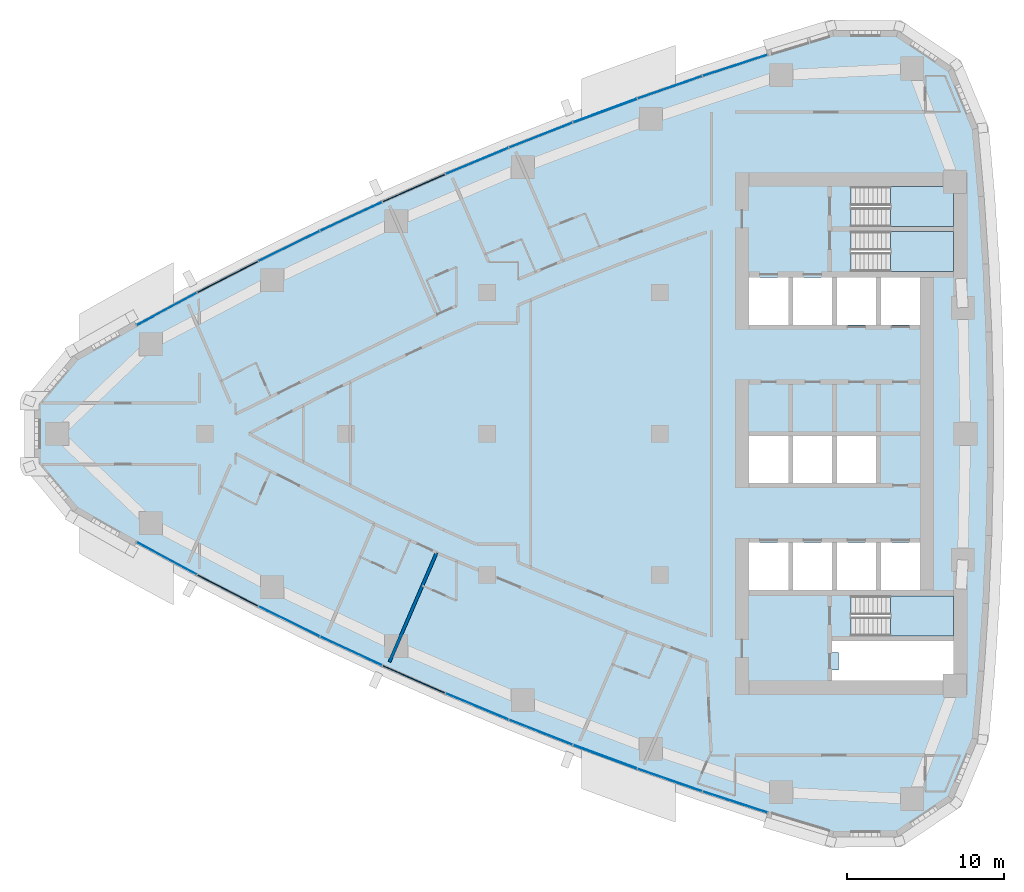
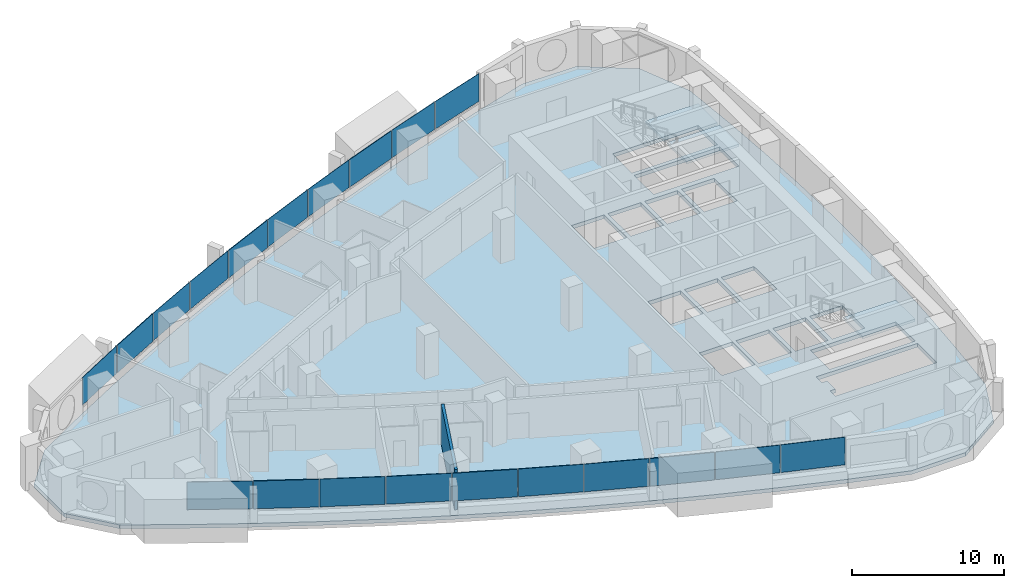
# One storey, part 7 of 17: 20 plates, 4 slabs, 1 wall, 1 opening, 13 elements without a shape of their own.
"""IFC4 building model written with IfcOpenShell, lengths in metres."""

from ifc_helpers import new_model, si_unit, direction, frame, frame_2d, origin, origin_2d, place, context, subcontext, project, spatial, polyline, rectangle, outline, extrude, material, layer, layer_set, type_object, element, aggregate, save


model = new_model("IFC4")

# Units and contexts
model_context = context("Model", 3, precision=1e-05, world=origin(), true_north=direction((0.0, 1.0)))
body_context = subcontext(model_context, "Body", "Model", "MODEL_VIEW")
ifc_project = project(units=[si_unit("LENGTHUNIT", "METRE"), si_unit("AREAUNIT", "SQUARE_METRE"), si_unit("VOLUMEUNIT", "CUBIC_METRE"), si_unit("PLANEANGLEUNIT", "RADIAN"), si_unit("MASSUNIT", "GRAM", prefix="KILO")], contexts=[model_context])

# Site, building, storey
site_placement = place(None, origin())
site = spatial("IfcSite", under=ifc_project, at=site_placement, CompositionType="ELEMENT")
building_placement = place(site_placement, origin())
building = spatial("IfcBuilding", under=site, at=building_placement, Name="Ostrand Prow Hotel Tower", CompositionType="ELEMENT")
storey_placement = place(building_placement, frame((0.0, 0.0, 133.75)))
storey = spatial("IfcBuildingStorey", under=building, at=storey_placement, Name="L32", CompositionType="ELEMENT", Elevation=133.75)

# Curtain wall, plate
ifc_material_1 = material(Name="Insulated glass in bronze anodised frame", Category="glass")
ifc_layer_1 = layer(ifc_material_1, 0.199951171875)
ifc_layer_set_1 = layer_set([ifc_layer_1], Name="Insulated glass in bronze anodised frame")
curtain_wall_type = type_object("IfcCurtainWallType", Name="Strip curtain wall, fritted glass over bronze spandrel", PredefinedType="NOTDEFINED", material=ifc_layer_set_1)
curtain_wall_1_placement = place(storey_placement, origin())
curtain_wall_1 = element("IfcCurtainWall", 1, at=curtain_wall_1_placement, inside=storey, type_object=curtain_wall_type, Name="CW1 run CWS1", PredefinedType="NOTDEFINED")
ifc_material_2 = material(Name="Ceramic-fritted glass", Category="glass")
ifc_layer_2 = layer(ifc_material_2, 0.031982421875)
ifc_layer_set_2 = layer_set([ifc_layer_2], Name="Ceramic-fritted glass")
plate_type_1 = type_object("IfcPlateType", Name="Dot-fritted ceramic glass unit 32 mm", PredefinedType="CURTAIN_PANEL", material=ifc_layer_set_2)
plate_1_placement = place(storey_placement, frame((13.572509765625, -7.951904296875, 1.02001953125), z_axis=(0.0, 0.0, 1.0), x_axis=(0.879773060847, -0.475393901316, 0.0)))
plate_1 = element("IfcPlate", 2, at=plate_1_placement, type_object=plate_type_1, Name="CW1 PN-D panel 1.2", PredefinedType="CURTAIN_PANEL", context=body_context, shape_type="SweptSolid", body=[
    extrude(rectangle(XDim=4.326171875, YDim=0.031982421875, at=origin_2d()), origin(), (0.0, 0.0, 1.0), 2.22998046875),
])

# Curtain wall, plates
curtain_wall_2_placement = place(storey_placement, origin())
curtain_wall_2 = element("IfcCurtainWall", 3, at=curtain_wall_2_placement, inside=storey, type_object=curtain_wall_type, Name="CW1 run CWS2", PredefinedType="NOTDEFINED")
plate_2_placement = place(storey_placement, frame((21.371337890625, -11.9658203125, 1.02001953125), z_axis=(0.0, 0.0, 1.0), x_axis=(0.898164975061, -0.439658592061, 0.0)))
plate_2 = element("IfcPlate", 4, at=plate_2_placement, type_object=plate_type_1, Name="CW1 PN-D panel 1.2", PredefinedType="CURTAIN_PANEL", context=body_context, shape_type="SweptSolid", body=[
    extrude(rectangle(XDim=4.326171875, YDim=0.031982421875, at=origin_2d()), origin(), (0.0, 0.0, 1.0), 2.22998046875),
])
plate_3_placement = place(storey_placement, frame((25.329833984375, -13.8544921875, 1.02001953125), z_axis=(0.0, 0.0, 1.0), x_axis=(0.906818286337, -0.421521761673, 0.0)))
plate_3 = element("IfcPlate", 5, at=plate_3_placement, type_object=plate_type_1, Name="CW1 PN-D panel 2.2", PredefinedType="CURTAIN_PANEL", context=body_context, shape_type="SweptSolid", body=[
    extrude(rectangle(XDim=4.326171875, YDim=0.031982421875, at=origin_2d()), origin(), (0.0, 0.0, 1.0), 2.22998046875),
])
aggregate(curtain_wall_2, [plate_2, plate_3])

# Curtain wall, plate
curtain_wall_3_placement = place(storey_placement, origin())
curtain_wall_3 = element("IfcCurtainWall", 6, at=curtain_wall_3_placement, inside=storey, type_object=curtain_wall_type, Name="CW1 run CWS3", PredefinedType="NOTDEFINED")
plate_4_placement = place(storey_placement, frame((33.3564453125, -17.39111328125, 1.02001953125), z_axis=(0.0, 0.0, 1.0), x_axis=(0.92302364777, -0.384743220418, 0.0)))
plate_4 = element("IfcPlate", 7, at=plate_4_placement, type_object=plate_type_1, Name="CW1 PN-D panel 2.2", PredefinedType="CURTAIN_PANEL", context=body_context, shape_type="SweptSolid", body=[
    extrude(rectangle(XDim=4.326171875, YDim=0.031982421875, at=origin_2d()), origin(), (0.0, 0.0, 1.0), 2.22998046875),
])

curtain_wall_4_placement = place(storey_placement, origin())
curtain_wall_4 = element("IfcCurtainWall", 8, at=curtain_wall_4_placement, inside=storey, type_object=curtain_wall_type, Name="CW1 run CWS4", PredefinedType="NOTDEFINED")
plate_5_placement = place(storey_placement, frame((37.42138671875, -19.037841796875, 1.02001953125), z_axis=(0.0, 0.0, 1.0), x_axis=(0.930569089059, -0.366116334636, 0.0)))
plate_5 = element("IfcPlate", 9, at=plate_5_placement, type_object=plate_type_1, Name="CW1 PN-D panel 1.2", PredefinedType="CURTAIN_PANEL", context=body_context, shape_type="SweptSolid", body=[
    extrude(rectangle(XDim=4.326171875, YDim=0.031982421875, at=origin_2d()), origin(), (0.0, 0.0, 1.0), 2.22998046875),
])

# Curtain wall, plates
curtain_wall_5_placement = place(storey_placement, origin())
curtain_wall_5 = element("IfcCurtainWall", 10, at=curtain_wall_5_placement, inside=storey, type_object=curtain_wall_type, Name="CW1 run CWS5", PredefinedType="NOTDEFINED")
plate_6_placement = place(storey_placement, frame((45.646484375, -22.08447265625, 1.02001953125), z_axis=(0.0, 0.0, 1.0), x_axis=(0.944528947293, -0.328428177424, 0.0)))
plate_6 = element("IfcPlate", 11, at=plate_6_placement, type_object=plate_type_1, Name="CW1 PN-D panel 1.2", PredefinedType="CURTAIN_PANEL", context=body_context, shape_type="SweptSolid", body=[
    extrude(rectangle(XDim=4.326171875, YDim=0.031982421875, at=origin_2d()), origin(), (0.0, 0.0, 1.0), 2.22998046875),
])
plate_7_placement = place(storey_placement, frame((49.803466796875, -23.483154296875, 1.02001953125), z_axis=(0.0, 0.0, 1.0), x_axis=(0.950938332153, -0.309380491373, 0.0)))
plate_7 = element("IfcPlate", 12, at=plate_7_placement, type_object=plate_type_1, Name="CW1 PN-D panel 2.2", PredefinedType="CURTAIN_PANEL", context=body_context, shape_type="SweptSolid", body=[
    extrude(rectangle(XDim=4.326171875, YDim=0.031982421875, at=origin_2d()), origin(), (0.0, 0.0, 1.0), 2.22998046875),
])
aggregate(curtain_wall_5, [plate_6, plate_7])

curtain_wall_6_placement = place(storey_placement, origin())
curtain_wall_6 = element("IfcCurtainWall", 13, at=curtain_wall_6_placement, inside=storey, type_object=curtain_wall_type, Name="CW1 run CWN1", PredefinedType="NOTDEFINED")
plate_8_placement = place(storey_placement, frame((49.803466796875, 23.483154296875, 1.02001953125), z_axis=(0.0, 0.0, 1.0), x_axis=(-0.950938332153, -0.309380491373, 0.0)))
plate_8 = element("IfcPlate", 14, at=plate_8_placement, type_object=plate_type_1, Name="CW1 PN-D panel 1.2", PredefinedType="CURTAIN_PANEL", context=body_context, shape_type="SweptSolid", body=[
    extrude(rectangle(XDim=4.326171875, YDim=0.031982421875, at=origin_2d()), origin(), (0.0, 0.0, 1.0), 2.22998046875),
])
plate_9_placement = place(storey_placement, frame((45.646484375, 22.08447265625, 1.02001953125), z_axis=(0.0, 0.0, 1.0), x_axis=(-0.944528947293, -0.328428177424, 0.0)))
plate_9 = element("IfcPlate", 15, at=plate_9_placement, type_object=plate_type_1, Name="CW1 PN-D panel 2.2", PredefinedType="CURTAIN_PANEL", context=body_context, shape_type="SweptSolid", body=[
    extrude(rectangle(XDim=4.326171875, YDim=0.031982421875, at=origin_2d()), origin(), (0.0, 0.0, 1.0), 2.22998046875),
])
aggregate(curtain_wall_6, [plate_8, plate_9])

# Curtain wall, plate
curtain_wall_7_placement = place(storey_placement, origin())
curtain_wall_7 = element("IfcCurtainWall", 16, at=curtain_wall_7_placement, inside=storey, type_object=curtain_wall_type, Name="CW1 run CWN2", PredefinedType="NOTDEFINED")
plate_10_placement = place(storey_placement, frame((37.42138671875, 19.037841796875, 1.02001953125), z_axis=(0.0, 0.0, 1.0), x_axis=(-0.930569089059, -0.366116334636, 0.0)))
plate_10 = element("IfcPlate", 17, at=plate_10_placement, type_object=plate_type_1, Name="CW1 PN-D panel 2.2", PredefinedType="CURTAIN_PANEL", context=body_context, shape_type="SweptSolid", body=[
    extrude(rectangle(XDim=4.326171875, YDim=0.031982421875, at=origin_2d()), origin(), (0.0, 0.0, 1.0), 2.22998046875),
])

curtain_wall_8_placement = place(storey_placement, origin())
curtain_wall_8 = element("IfcCurtainWall", 18, at=curtain_wall_8_placement, inside=storey, type_object=curtain_wall_type, Name="CW1 run CWN3", PredefinedType="NOTDEFINED")
plate_11_placement = place(storey_placement, frame((33.3564453125, 17.39111328125, 1.02001953125), z_axis=(0.0, 0.0, 1.0), x_axis=(-0.92302364777, -0.384743220418, 0.0)))
plate_11 = element("IfcPlate", 19, at=plate_11_placement, type_object=plate_type_1, Name="CW1 PN-D panel 1.2", PredefinedType="CURTAIN_PANEL", context=body_context, shape_type="SweptSolid", body=[
    extrude(rectangle(XDim=4.326171875, YDim=0.031982421875, at=origin_2d()), origin(), (0.0, 0.0, 1.0), 2.22998046875),
])

# Curtain wall, plates
curtain_wall_9_placement = place(storey_placement, origin())
curtain_wall_9 = element("IfcCurtainWall", 20, at=curtain_wall_9_placement, inside=storey, type_object=curtain_wall_type, Name="CW1 run CWN4", PredefinedType="NOTDEFINED")
plate_12_placement = place(storey_placement, frame((25.329833984375, 13.8544921875, 1.02001953125), z_axis=(0.0, 0.0, 1.0), x_axis=(-0.906818286337, -0.421521761673, 0.0)))
plate_12 = element("IfcPlate", 21, at=plate_12_placement, type_object=plate_type_1, Name="CW1 PN-D panel 1.2", PredefinedType="CURTAIN_PANEL", context=body_context, shape_type="SweptSolid", body=[
    extrude(rectangle(XDim=4.326171875, YDim=0.031982421875, at=origin_2d()), origin(), (0.0, 0.0, 1.0), 2.22998046875),
])
plate_13_placement = place(storey_placement, frame((21.371337890625, 11.9658203125, 1.02001953125), z_axis=(0.0, 0.0, 1.0), x_axis=(-0.898164975061, -0.439658592061, 0.0)))
plate_13 = element("IfcPlate", 22, at=plate_13_placement, type_object=plate_type_1, Name="CW1 PN-D panel 2.2", PredefinedType="CURTAIN_PANEL", context=body_context, shape_type="SweptSolid", body=[
    extrude(rectangle(XDim=4.326171875, YDim=0.031982421875, at=origin_2d()), origin(), (0.0, 0.0, 1.0), 2.22998046875),
])
aggregate(curtain_wall_9, [plate_12, plate_13])

# Curtain wall, plate
curtain_wall_10_placement = place(storey_placement, origin())
curtain_wall_10 = element("IfcCurtainWall", 23, at=curtain_wall_10_placement, inside=storey, type_object=curtain_wall_type, Name="CW1 run CWN5", PredefinedType="NOTDEFINED")
plate_14_placement = place(storey_placement, frame((13.572509765625, 7.951904296875, 1.02001953125), z_axis=(0.0, 0.0, 1.0), x_axis=(-0.879773060847, -0.475393901316, 0.0)))
plate_14 = element("IfcPlate", 24, at=plate_14_placement, type_object=plate_type_1, Name="CW1 PN-D panel 2.2", PredefinedType="CURTAIN_PANEL", context=body_context, shape_type="SweptSolid", body=[
    extrude(rectangle(XDim=4.326171875, YDim=0.031982421875, at=origin_2d()), origin(), (0.0, 0.0, 1.0), 2.22998046875),
])

# Plate
ifc_material_3 = material(Name="Fritted glass in bronze vent frame", Category="glass")
ifc_layer_3 = layer(ifc_material_3, 0.06005859375)
ifc_layer_set_3 = layer_set([ifc_layer_3], Name="Fritted glass in bronze vent frame")
plate_type_2 = type_object("IfcPlateType", Name="Operable vent panel 60 mm", PredefinedType="CURTAIN_PANEL", material=ifc_layer_set_3)
plate_15_placement = place(storey_placement, frame((17.45166015625, -9.998046875, 1.02001953125), z_axis=(0.0, 0.0, 1.0), x_axis=(0.889148164146, -0.457619429434, 0.0)))
plate_15 = element("IfcPlate", 25, at=plate_15_placement, type_object=plate_type_2, Name="CW1 PN-O panel 2.2", PredefinedType="CURTAIN_PANEL", context=body_context, shape_type="SweptSolid", body=[
    extrude(rectangle(XDim=4.326171875, YDim=0.06005859375, at=origin_2d()), origin(), (0.0, 0.0, 1.0), 2.22998046875),
])

aggregate(curtain_wall_1, [plate_1, plate_15])

plate_16_placement = place(storey_placement, frame((29.3251953125, -15.6630859375, 1.02001953125), z_axis=(0.0, 0.0, 1.0), x_axis=(0.915106105993, -0.403213113347, 0.0)))
plate_16 = element("IfcPlate", 26, at=plate_16_placement, type_object=plate_type_2, Name="CW1 PN-O panel 1.2", PredefinedType="CURTAIN_PANEL", context=body_context, shape_type="SweptSolid", body=[
    extrude(rectangle(XDim=4.326171875, YDim=0.06005859375, at=origin_2d()), origin(), (0.0, 0.0, 1.0), 2.22998046875),
])

aggregate(curtain_wall_3, [plate_16, plate_4])

plate_17_placement = place(storey_placement, frame((41.518798828125, -20.6025390625, 1.02001953125), z_axis=(0.0, 0.0, 1.0), x_axis=(0.937738678558, -0.347341576459, 0.0)))
plate_17 = element("IfcPlate", 27, at=plate_17_placement, type_object=plate_type_2, Name="CW1 PN-O panel 2.2", PredefinedType="CURTAIN_PANEL", context=body_context, shape_type="SweptSolid", body=[
    extrude(rectangle(XDim=4.326171875, YDim=0.06005859375, at=origin_2d()), origin(), (0.0, 0.0, 1.0), 2.22998046875),
])

aggregate(curtain_wall_4, [plate_5, plate_17])

plate_18_placement = place(storey_placement, frame((41.518798828125, 20.6025390625, 1.02001953125), z_axis=(0.0, 0.0, 1.0), x_axis=(-0.937738678558, -0.347341576459, 0.0)))
plate_18 = element("IfcPlate", 28, at=plate_18_placement, type_object=plate_type_2, Name="CW1 PN-O panel 1.2", PredefinedType="CURTAIN_PANEL", context=body_context, shape_type="SweptSolid", body=[
    extrude(rectangle(XDim=4.326171875, YDim=0.06005859375, at=origin_2d()), origin(), (0.0, 0.0, 1.0), 2.22998046875),
])

aggregate(curtain_wall_7, [plate_18, plate_10])

plate_19_placement = place(storey_placement, frame((29.3251953125, 15.6630859375, 1.02001953125), z_axis=(0.0, 0.0, 1.0), x_axis=(-0.915106105993, -0.403213113347, 0.0)))
plate_19 = element("IfcPlate", 29, at=plate_19_placement, type_object=plate_type_2, Name="CW1 PN-O panel 2.2", PredefinedType="CURTAIN_PANEL", context=body_context, shape_type="SweptSolid", body=[
    extrude(rectangle(XDim=4.326171875, YDim=0.06005859375, at=origin_2d()), origin(), (0.0, 0.0, 1.0), 2.22998046875),
])

aggregate(curtain_wall_8, [plate_11, plate_19])

plate_20_placement = place(storey_placement, frame((17.45166015625, 9.998046875, 1.02001953125), z_axis=(0.0, 0.0, 1.0), x_axis=(-0.889148164146, -0.457619429434, 0.0)))
plate_20 = element("IfcPlate", 30, at=plate_20_placement, type_object=plate_type_2, Name="CW1 PN-O panel 1.2", PredefinedType="CURTAIN_PANEL", context=body_context, shape_type="SweptSolid", body=[
    extrude(rectangle(XDim=4.326171875, YDim=0.06005859375, at=origin_2d()), origin(), (0.0, 0.0, 1.0), 2.22998046875),
])

aggregate(curtain_wall_10, [plate_20, plate_14])

# Slab, opening
ifc_material_4 = material(Name="Concrete C40/50", Category="concrete")
ifc_layer_4 = layer(ifc_material_4, 0.300048828125)
ifc_layer_set_4 = layer_set([ifc_layer_4], Name="Concrete C40/50")
slab_type_1 = type_object("IfcSlabType", Name="PT flat plate 300 C40/50", PredefinedType="FLOOR", material=ifc_layer_set_4)
slab_1_placement = place(storey_placement, frame((0.0, 0.0, -0.300048828125)))
slab_1 = element("IfcSlab", 31, at=slab_1_placement, inside=storey, type_object=slab_type_1, Name="Floor slab L32-1", PredefinedType="FLOOR", context=body_context, shape_type="SweptSolid", body=[
    extrude(outline(polyline([(7.658203125, 4.952880859375), (11.51611328125, 7.138916015625), (15.37939453125, 9.2265625), (19.283935546875, 11.236083984375), (23.228271484375, 13.166748046875), (27.210205078125, 15.017822265625), (31.22900390625, 16.788330078125), (35.2822265625, 18.47802734375), (39.36865234375, 20.085693359375), (43.486572265625, 21.611083984375), (47.63427734375, 23.05322265625), (51.810302734375, 24.411865234375), (56.046630859375, 25.696533203125), (60.193115234375, 25.6640625), (63.664306640625, 23.328125), (65.256103515625, 19.498779296875), (65.650390625, 15.148681640625), (65.944091796875, 10.825927734375), (66.139892578125, 6.497802734375), (66.23779296875, 2.166259765625), (66.23779296875, -2.166259765625), (66.139892578125, -6.497802734375), (65.944091796875, -10.825927734375), (65.650390625, -15.148681640625), (65.256103515625, -19.498779296875), (63.664306640625, -23.328125), (60.193115234375, -25.6640625), (56.046630859375, -25.696533203125), (51.810302734375, -24.411865234375), (47.63427734375, -23.05322265625), (43.486572265625, -21.611083984375), (39.36865234375, -20.085693359375), (35.2822265625, -18.47802734375), (31.22900390625, -16.788330078125), (27.210205078125, -15.017822265625), (23.228271484375, -13.166748046875), (19.283935546875, -11.236083984375), (15.37939453125, -9.2265625), (11.51611328125, -7.138916015625), (7.658203125, -4.952880859375), (5.16064453125, -1.968505859375), (5.16064453125, 1.968505859375), (7.658203125, 4.952880859375)]), holes=[polyline([(50.699951171875, 6.949951171875), (53.199951171875, 6.949951171875), (53.199951171875, 9.949951171875), (50.699951171875, 9.949951171875), (50.699951171875, 6.949951171875)]), polyline([(53.5, 6.949951171875), (56.0, 6.949951171875), (56.0, 9.949951171875), (53.5, 9.949951171875), (53.5, 6.949951171875)]), polyline([(56.300048828125, 6.949951171875), (58.800048828125, 6.949951171875), (58.800048828125, 9.949951171875), (56.300048828125, 9.949951171875), (56.300048828125, 6.949951171875)]), polyline([(59.10009765625, 6.949951171875), (61.60009765625, 6.949951171875), (61.60009765625, 9.949951171875), (59.10009765625, 9.949951171875), (59.10009765625, 6.949951171875)]), polyline([(50.699951171875, -3.14990234375), (53.199951171875, -3.14990234375), (53.199951171875, -0.14990234375), (50.699951171875, -0.14990234375), (50.699951171875, -3.14990234375)]), polyline([(53.5, -3.14990234375), (56.0, -3.14990234375), (56.0, -0.14990234375), (53.5, -0.14990234375), (53.5, -3.14990234375)]), polyline([(56.300048828125, -3.14990234375), (58.800048828125, -3.14990234375), (58.800048828125, -0.14990234375), (56.300048828125, -0.14990234375), (56.300048828125, -3.14990234375)]), polyline([(50.699951171875, -9.949951171875), (53.199951171875, -9.949951171875), (53.199951171875, -6.949951171875), (50.699951171875, -6.949951171875), (50.699951171875, -9.949951171875)]), polyline([(53.5, -9.949951171875), (56.0, -9.949951171875), (56.0, -6.949951171875), (53.5, -6.949951171875), (53.5, -9.949951171875)]), polyline([(56.300048828125, -9.949951171875), (58.800048828125, -9.949951171875), (58.800048828125, -6.949951171875), (56.300048828125, -6.949951171875), (56.300048828125, -9.949951171875)]), polyline([(59.10009765625, -9.949951171875), (61.60009765625, -9.949951171875), (61.60009765625, -6.949951171875), (59.10009765625, -6.949951171875), (59.10009765625, -9.949951171875)]), polyline([(57.200927734375, 10.35107421875), (57.200927734375, 12.89892578125), (63.718994140625, 12.89892578125), (63.718994140625, 10.35107421875), (57.200927734375, 10.35107421875)]), polyline([(57.200927734375, 13.200927734375), (57.200927734375, 15.7490234375), (63.718994140625, 15.7490234375), (63.718994140625, 13.200927734375), (57.200927734375, 13.200927734375)]), polyline([(57.200927734375, -12.89892578125), (57.200927734375, -10.35107421875), (63.718994140625, -10.35107421875), (63.718994140625, -12.89892578125), (57.200927734375, -12.89892578125)]), polyline([(56.0, -13.199951171875), (63.719970703125, -13.199951171875), (63.719970703125, -15.75), (56.0, -15.75), (56.0, -15.050048828125), (56.39990234375, -15.050048828125), (56.39990234375, -13.949951171875), (56.0, -13.949951171875), (56.0, -13.199951171875)])]), origin(), (0.0, 0.0, 1.0), 0.300048828125),
])
opening_placement = place(slab_1_placement, origin())
element("IfcOpeningElement", 32, at=opening_placement, cuts=slab_1, Name="Shaft opening 1", PredefinedType="OPENING", context=body_context, shape_type="SweptSolid", body=[
    extrude(outline(polyline([(56.0, -13.199951171875), (63.719970703125, -13.199951171875), (63.719970703125, -15.75), (56.0, -15.75), (56.0, -15.050048828125), (56.39990234375, -15.050048828125), (56.39990234375, -13.949951171875), (56.0, -13.949951171875), (56.0, -13.199951171875)])), origin(), (0.0, 0.0, 1.0), 0.300048828125),
])

# Stair, slab
ifc_material_5 = material(Name="Concrete C40/50", Category="concrete")
stair_type = type_object("IfcStairType", Name="Exit stair 1200 upper zone", PredefinedType="HALF_TURN_STAIR", material=ifc_material_5)
stair_1_placement = place(storey_placement, origin())
stair_1 = element("IfcStair", 33, at=stair_1_placement, inside=storey, type_object=stair_type, Name="L32 ST1C", PredefinedType="HALF_TURN_STAIR")
ifc_material_6 = material(Name="Concrete C40/50", Category="concrete")
ifc_layer_5 = layer(ifc_material_6, 0.199951171875)
ifc_layer_set_5 = layer_set([ifc_layer_5], Name="Concrete C40/50")
slab_type_2 = type_object("IfcSlabType", Name="Stair landing 200 concrete", PredefinedType="LANDING", material=ifc_layer_set_5)
slab_2_placement = place(storey_placement, frame((0.0, 0.0, 1.574951171875)))
slab_2 = element("IfcSlab", 34, at=slab_2_placement, type_object=slab_type_2, Name="ST1C landing 1", PredefinedType="LANDING", context=body_context, shape_type="SweptSolid", body=[
    extrude(outline(polyline([(59.719970703125, 10.35009765625), (63.719970703125, 10.35009765625), (63.719970703125, 12.89990234375), (59.719970703125, 12.89990234375), (59.719970703125, 10.35009765625)])), origin(), (0.0, 0.0, 1.0), 0.199951171875),
])
aggregate(stair_1, [slab_2])

stair_2_placement = place(storey_placement, origin())
stair_2 = element("IfcStair", 35, at=stair_2_placement, inside=storey, type_object=stair_type, Name="L32 ST3C", PredefinedType="HALF_TURN_STAIR")
slab_3_placement = place(storey_placement, frame((0.0, 0.0, 1.574951171875)))
slab_3 = element("IfcSlab", 36, at=slab_3_placement, type_object=slab_type_2, Name="ST3C landing 1", PredefinedType="LANDING", context=body_context, shape_type="SweptSolid", body=[
    extrude(outline(polyline([(59.719970703125, 13.199951171875), (63.719970703125, 13.199951171875), (63.719970703125, 15.75), (59.719970703125, 15.75), (59.719970703125, 13.199951171875)])), origin(), (0.0, 0.0, 1.0), 0.199951171875),
])
aggregate(stair_2, [slab_3])

stair_3_placement = place(storey_placement, origin())
stair_3 = element("IfcStair", 37, at=stair_3_placement, inside=storey, type_object=stair_type, Name="L32 ST2C", PredefinedType="HALF_TURN_STAIR")
slab_4_placement = place(storey_placement, frame((0.0, 0.0, 1.574951171875)))
slab_4 = element("IfcSlab", 38, at=slab_4_placement, type_object=slab_type_2, Name="ST2C landing 1", PredefinedType="LANDING", context=body_context, shape_type="SweptSolid", body=[
    extrude(outline(polyline([(59.719970703125, -12.89990234375), (63.719970703125, -12.89990234375), (63.719970703125, -10.35009765625), (59.719970703125, -10.35009765625), (59.719970703125, -12.89990234375)])), origin(), (0.0, 0.0, 1.0), 0.199951171875),
])
aggregate(stair_3, [slab_4])

# Wall
ifc_material_7 = material(Name="Plasterboard partition")
ifc_layer_6 = layer(ifc_material_7, 0.199951171875)
ifc_layer_set_6 = layer_set([ifc_layer_6], Name="Plasterboard partition")
wall_type = type_object("IfcWallType", Name="Partition 200 key partition", PredefinedType="PARTITIONING", material=ifc_layer_set_6)
wall_placement = place(storey_placement, frame((27.770751953125, -14.554443359375, 0.0), z_axis=(0.0, 0.0, 1.0), x_axis=(0.396004020147, 0.918248776763, 0.0)))
element("IfcWall", 39, at=wall_placement, inside=storey, type_object=wall_type, Name="KEY PARTITION", PredefinedType="PARTITIONING", context=body_context, shape_type="SweptSolid", body=[
    extrude(rectangle(XDim=7.600341796875, YDim=0.199951171875, at=frame_2d((3.80029296875, 0.0))), origin(), (0.0, 0.0, 1.0), 3.25),
])

save(model, "model.ifc")
